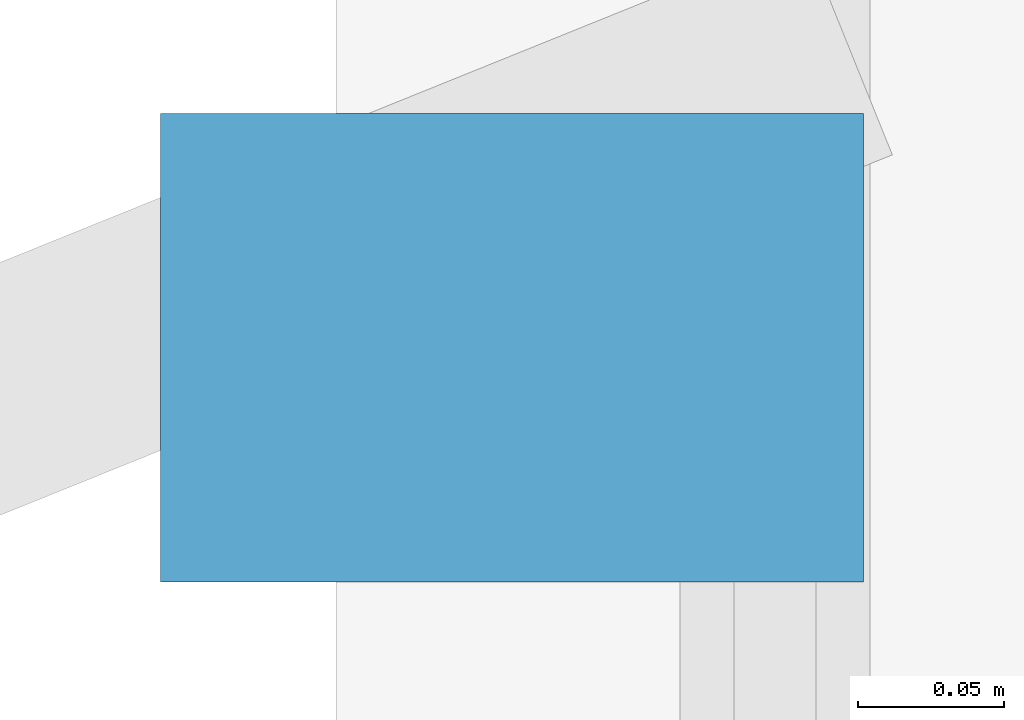
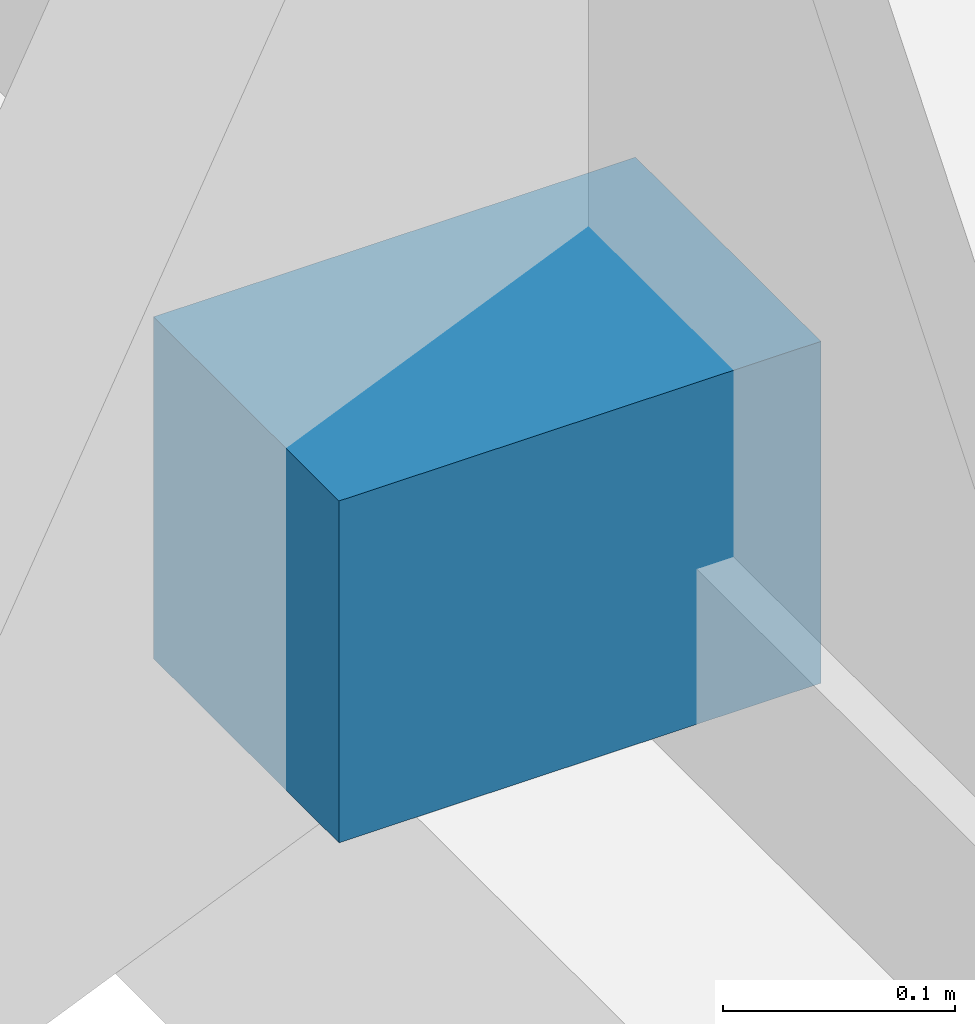
# One storey, part 27 of 30: 1 discrete accessory.
"""IFC4 building model written with IfcOpenShell, lengths in metres."""

from ifc_helpers import new_model, si_unit, direction, frame, origin, origin_2d, place, context, subcontext, project, spatial, rectangle, extrude, material, type_object, element, save


model = new_model("IFC4")

# Units and contexts
model_context = context("Model", 3, precision=1e-05, world=origin(), true_north=direction((0.0, 1.0)))
body_context = subcontext(model_context, "Body", "Model", "MODEL_VIEW")
ifc_project = project(units=[si_unit("LENGTHUNIT", "METRE"), si_unit("AREAUNIT", "SQUARE_METRE"), si_unit("VOLUMEUNIT", "CUBIC_METRE"), si_unit("PLANEANGLEUNIT", "RADIAN"), si_unit("MASSUNIT", "GRAM", prefix="KILO")], contexts=[model_context])

# Site, building, storey
site_placement = place(None, origin())
site = spatial("IfcSite", under=ifc_project, at=site_placement, CompositionType="ELEMENT")
building_placement = place(site_placement, origin())
building = spatial("IfcBuilding", under=site, at=building_placement, Name="Calvorn Quay Hotel", CompositionType="ELEMENT")
storey_placement = place(building_placement, frame((0.0, 0.0, 30.800048828125)))
storey = spatial("IfcBuildingStorey", under=building, at=storey_placement, Name="L06", CompositionType="ELEMENT", Elevation=30.800048828125)

# Discrete accessory
ifc_material = material(Name="Steel Q355B", Category="steel")
discrete_accessory_type = type_object("IfcDiscreteAccessoryType", Name="ACC-FIN-BRACKET", PredefinedType="BRACKET", material=ifc_material)
discrete_accessory_placement = place(storey_placement, frame((0.06005859375, 37.25, 0.02978515625), z_axis=(0.0, 0.0, 1.0), x_axis=(1.0, 0.0, 0.0)))
element("IfcDiscreteAccessory", 1, at=discrete_accessory_placement, inside=storey, type_object=discrete_accessory_type, Name="Fin Anchor Bracket L06-W03", PredefinedType="BRACKET", context=body_context, shape_type="SweptSolid", body=[
    extrude(rectangle(XDim=0.239990234375, YDim=0.159912109375, at=origin_2d()), origin(), (0.0, 0.0, 1.0), 0.179931640625),
])

save(model, "model.ifc")
